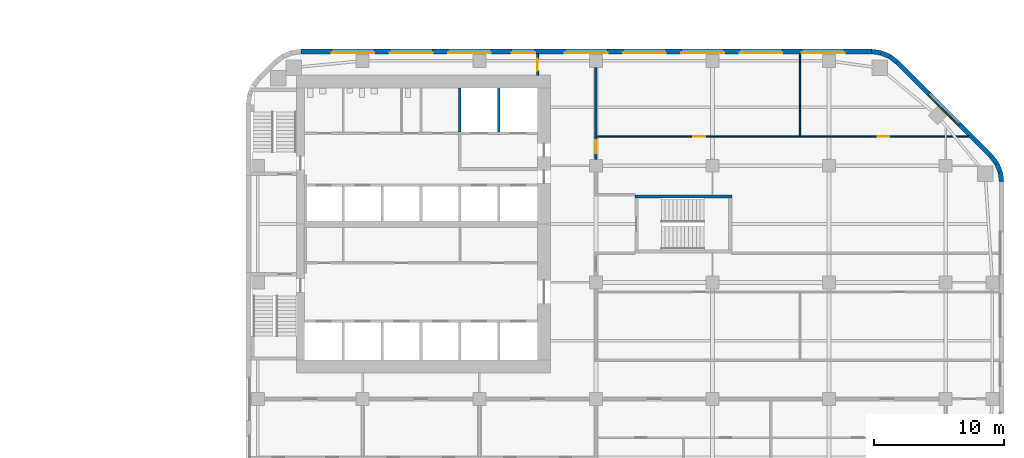
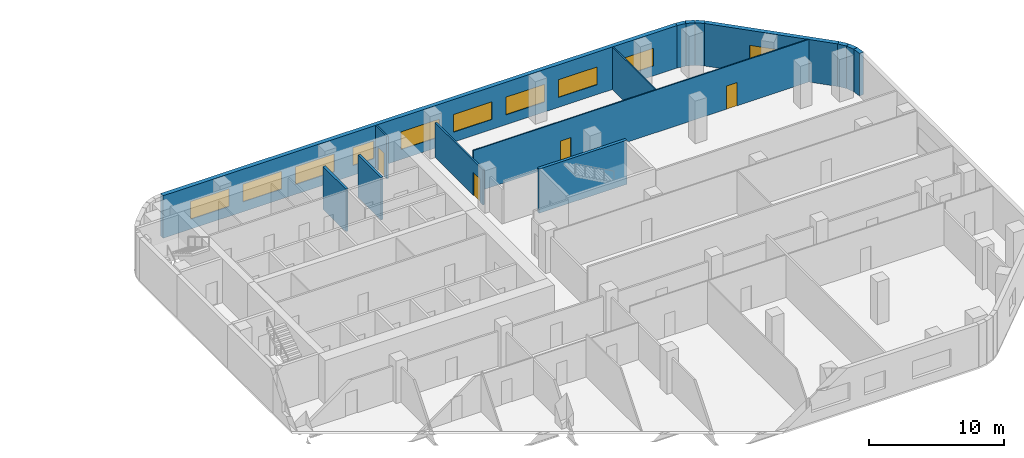
# One storey, part 12 of 16: 15 walls, 10 windows, 4 doors, 14 openings.
"""IFC4 building model written with IfcOpenShell, lengths in metres."""

from ifc_helpers import new_model, si_unit, direction, frame, frame_2d, origin, place, context, subcontext, project, spatial, rectangle, extrude, material, layer, layer_set, type_object, element, fill, save


model = new_model("IFC4")

# Units and contexts
model_context = context("Model", 3, precision=1e-05, world=origin(), true_north=direction((0.0, 1.0)))
body_context = subcontext(model_context, "Body", "Model", "MODEL_VIEW")
ifc_project = project(units=[si_unit("LENGTHUNIT", "METRE"), si_unit("AREAUNIT", "SQUARE_METRE"), si_unit("VOLUMEUNIT", "CUBIC_METRE"), si_unit("PLANEANGLEUNIT", "RADIAN"), si_unit("MASSUNIT", "GRAM", prefix="KILO")], contexts=[model_context])

# Site, building, storey
site_placement = place(None, origin())
site = spatial("IfcSite", under=ifc_project, at=site_placement, CompositionType="ELEMENT")
building_placement = place(site_placement, origin())
building = spatial("IfcBuilding", under=site, at=building_placement, Name="Cinnabar Reach Civic Tower", CompositionType="ELEMENT")
storey_placement = place(building_placement, frame((0.0, 0.0, 83.0)))
storey = spatial("IfcBuildingStorey", under=building, at=storey_placement, Name="L19", CompositionType="ELEMENT", Elevation=83.0)

# Walls
ifc_material_1 = material(Name="Facing brick with insulated backing", Category="masonry")
ifc_layer_1 = layer(ifc_material_1, 0.36)
ifc_layer_set_1 = layer_set([ifc_layer_1], Name="Brick corner wall")
wall_type_1 = type_object("IfcWallType", Name="Brick corner wall", PredefinedType="STANDARD", material=ifc_layer_set_1)
for number, where, z_axis, x_axis, name in (
    (1, (58.317, 34.7686, 0.0), (0.0, 0.0, 1.0), (-0.13055608231, 0.99144092581, 0.0), "Brick corner wall"),
    (2, (58.2181, 35.4973, 0.0), (0.0, 0.0, 1.0), (-0.382702709855, 0.923871547278, 0.0), "Brick corner wall"),
):
    element("IfcWall", number, at=place(storey_placement, frame(where, z_axis=z_axis, x_axis=x_axis)), inside=storey, type_object=wall_type_1, Name=name, PredefinedType="STANDARD", context=body_context, shape_type="SweptSolid", body=[
        extrude(rectangle(XDim=0.7131, YDim=0.36, at=frame_2d((0.3565, 0.0))), origin(), (0.0, 0.0, 1.0), 3.85),
    ])
for number, where, z_axis, x_axis, name in (
    (3, (57.934, 36.1755, 0.0), (0.0, 0.0, 1.0), (-0.608802368033, 0.793321924995, 0.0), "Brick corner wall"),
    (4, (50.2413, 43.9998, 0.0), (0.0, 0.0, 1.0), (-0.793321924995, 0.608802368033, 0.0), "Brick corner wall"),
):
    element("IfcWall", number, at=place(storey_placement, frame(where, z_axis=z_axis, x_axis=x_axis)), inside=storey, type_object=wall_type_1, Name=name, PredefinedType="STANDARD", context=body_context, shape_type="SweptSolid", body=[
        extrude(rectangle(XDim=0.7132, YDim=0.36, at=frame_2d((0.3566, 0.0))), origin(), (0.0, 0.0, 1.0), 3.85),
    ])
for number, where, z_axis, x_axis, name in (
    (5, (49.6561, 44.4452, 0.0), (0.0, 0.0, 1.0), (-0.923871547278, 0.382702709855, 0.0), "Brick corner wall"),
    (6, (48.9756, 44.7239, 0.0), (0.0, 0.0, 1.0), (-0.99144092581, 0.13055608231, 0.0), "Brick corner wall"),
):
    element("IfcWall", number, at=place(storey_placement, frame(where, z_axis=z_axis, x_axis=x_axis)), inside=storey, type_object=wall_type_1, Name=name, PredefinedType="STANDARD", context=body_context, shape_type="SweptSolid", body=[
        extrude(rectangle(XDim=0.7131, YDim=0.36, at=frame_2d((0.3565, 0.0))), origin(), (0.0, 0.0, 1.0), 3.85),
    ])

# Wall, opening, window
ifc_layer_2 = layer(ifc_material_1, 0.36)
ifc_layer_set_2 = layer_set([ifc_layer_2], Name="Brick pier and spandrel wall")
wall_type_2 = type_object("IfcWallType", Name="Brick pier and spandrel wall", PredefinedType="STANDARD", material=ifc_layer_set_2)
wall_1_placement = place(storey_placement, frame((57.494, 36.7514, 0.0), z_axis=(0.0, 0.0, 1.0), x_axis=(-0.707106781187, 0.707106781187, 0.0)))
wall_1 = element("IfcWall", 7, at=wall_1_placement, inside=storey, type_object=wall_type_2, Name="Brick facade wall", PredefinedType="STANDARD", context=body_context, shape_type="SweptSolid", body=[
    extrude(rectangle(XDim=10.2426, YDim=0.36, at=frame_2d((5.1213, 0.0))), origin(), (0.0, 0.0, 1.0), 3.85),
])
opening_1_placement = place(wall_1_placement, frame((3.4713, 0.0, 0.9)))
opening_1 = element("IfcOpeningElement", 8, at=opening_1_placement, cuts=wall_1, Name="Opening W1389", PredefinedType="OPENING", context=body_context, shape_type="SweptSolid", body=[
    extrude(rectangle(XDim=3.3, YDim=1.6, at=frame_2d((1.65, 0.8))), frame((0.0, 0.19, 0.0), z_axis=(0.0, -1.0, 0.0), x_axis=(1.0, 0.0, 0.0)), (0.0, 0.0, 1.0), 0.38),
])
ifc_material_2 = material(Name="Clear double glazing in aluminium frame", Category="aluminium")
window_type_1 = type_object("IfcWindowType", Name="Deep-set window A", PartitioningType="SINGLE_PANEL", PredefinedType="WINDOW", material=ifc_material_2)
window_1_placement = place(opening_1_placement, origin())
window_1 = element("IfcWindow", 9, at=window_1_placement, inside=storey, type_object=window_type_1, Name="Window northeast face", OverallHeight=1.6, OverallWidth=3.3, PartitioningType="SINGLE_PANEL", PredefinedType="WINDOW", context=body_context, shape_type="SweptSolid", body=[
    extrude(rectangle(XDim=3.3, YDim=1.6, at=frame_2d((1.65, 0.8))), frame((0.0, 0.13, 0.0), z_axis=(0.0, -1.0, 0.0), x_axis=(1.0, 0.0, 0.0)), (0.0, 0.0, 1.0), 0.06),
])
fill(opening_1, window_1)

# Wall, openings, windows
wall_2_placement = place(storey_placement, frame((48.2574, 44.82, 0.0), z_axis=(0.0, 0.0, 1.0), x_axis=(-1.0, 0.0, 0.0)))
wall_2 = element("IfcWall", 10, at=wall_2_placement, inside=storey, type_object=wall_type_2, Name="Brick facade wall", PredefinedType="STANDARD", context=body_context, shape_type="SweptSolid", body=[
    extrude(rectangle(XDim=44.0148, YDim=0.36, at=frame_2d((22.0074, 0.0))), origin(), (0.0, 0.0, 1.0), 3.85),
])
opening_2_placement = place(wall_2_placement, frame((2.0574, 0.0, 0.9)))
opening_2 = element("IfcOpeningElement", 11, at=opening_2_placement, cuts=wall_2, Name="Opening W1390", PredefinedType="OPENING", context=body_context, shape_type="SweptSolid", body=[
    extrude(rectangle(XDim=3.3, YDim=1.6, at=frame_2d((1.65, 0.8))), frame((0.0, 0.19, 0.0), z_axis=(0.0, -1.0, 0.0), x_axis=(1.0, 0.0, 0.0)), (0.0, 0.0, 1.0), 0.38),
])
opening_3_placement = place(wall_2_placement, frame((6.8574, 0.0, 0.9)))
opening_3 = element("IfcOpeningElement", 12, at=opening_3_placement, cuts=wall_2, Name="Opening W1391", PredefinedType="OPENING", context=body_context, shape_type="SweptSolid", body=[
    extrude(rectangle(XDim=3.3, YDim=1.6, at=frame_2d((1.65, 0.8))), frame((0.0, 0.19, 0.0), z_axis=(0.0, -1.0, 0.0), x_axis=(1.0, 0.0, 0.0)), (0.0, 0.0, 1.0), 0.38),
])
opening_4_placement = place(wall_2_placement, frame((11.3574, 0.0, 0.9)))
opening_4 = element("IfcOpeningElement", 13, at=opening_4_placement, cuts=wall_2, Name="Opening W1392", PredefinedType="OPENING", context=body_context, shape_type="SweptSolid", body=[
    extrude(rectangle(XDim=3.3, YDim=1.6, at=frame_2d((1.65, 0.8))), frame((0.0, 0.19, 0.0), z_axis=(0.0, -1.0, 0.0), x_axis=(1.0, 0.0, 0.0)), (0.0, 0.0, 1.0), 0.38),
])
opening_5_placement = place(wall_2_placement, frame((15.8574, 0.0, 0.9)))
opening_5 = element("IfcOpeningElement", 14, at=opening_5_placement, cuts=wall_2, Name="Opening W1393", PredefinedType="OPENING", context=body_context, shape_type="SweptSolid", body=[
    extrude(rectangle(XDim=3.3, YDim=1.6, at=frame_2d((1.65, 0.8))), frame((0.0, 0.19, 0.0), z_axis=(0.0, -1.0, 0.0), x_axis=(1.0, 0.0, 0.0)), (0.0, 0.0, 1.0), 0.38),
])
opening_6_placement = place(wall_2_placement, frame((20.3574, 0.0, 0.9)))
opening_6 = element("IfcOpeningElement", 15, at=opening_6_placement, cuts=wall_2, Name="Opening W1394", PredefinedType="OPENING", context=body_context, shape_type="SweptSolid", body=[
    extrude(rectangle(XDim=3.3, YDim=1.6, at=frame_2d((1.65, 0.8))), frame((0.0, 0.19, 0.0), z_axis=(0.0, -1.0, 0.0), x_axis=(1.0, 0.0, 0.0)), (0.0, 0.0, 1.0), 0.38),
])
opening_7_placement = place(wall_2_placement, frame((25.9574, 0.0, 0.9)))
opening_7 = element("IfcOpeningElement", 16, at=opening_7_placement, cuts=wall_2, Name="Opening W1395", PredefinedType="OPENING", context=body_context, shape_type="SweptSolid", body=[
    extrude(rectangle(XDim=1.8, YDim=1.6, at=frame_2d((0.9, 0.8))), frame((0.0, 0.19, 0.0), z_axis=(0.0, -1.0, 0.0), x_axis=(1.0, 0.0, 0.0)), (0.0, 0.0, 1.0), 0.38),
])
opening_8_placement = place(wall_2_placement, frame((29.3574, 0.0, 0.9)))
opening_8 = element("IfcOpeningElement", 17, at=opening_8_placement, cuts=wall_2, Name="Opening W1396", PredefinedType="OPENING", context=body_context, shape_type="SweptSolid", body=[
    extrude(rectangle(XDim=3.3, YDim=1.6, at=frame_2d((1.65, 0.8))), frame((0.0, 0.19, 0.0), z_axis=(0.0, -1.0, 0.0), x_axis=(1.0, 0.0, 0.0)), (0.0, 0.0, 1.0), 0.38),
])
opening_9_placement = place(wall_2_placement, frame((33.8574, 0.0, 0.9)))
opening_9 = element("IfcOpeningElement", 18, at=opening_9_placement, cuts=wall_2, Name="Opening W1397", PredefinedType="OPENING", context=body_context, shape_type="SweptSolid", body=[
    extrude(rectangle(XDim=3.3, YDim=1.6, at=frame_2d((1.65, 0.8))), frame((0.0, 0.19, 0.0), z_axis=(0.0, -1.0, 0.0), x_axis=(1.0, 0.0, 0.0)), (0.0, 0.0, 1.0), 0.38),
])
opening_10_placement = place(wall_2_placement, frame((38.3574, 0.0, 0.9)))
opening_10 = element("IfcOpeningElement", 19, at=opening_10_placement, cuts=wall_2, Name="Opening W1398", PredefinedType="OPENING", context=body_context, shape_type="SweptSolid", body=[
    extrude(rectangle(XDim=3.3, YDim=1.6, at=frame_2d((1.65, 0.8))), frame((0.0, 0.19, 0.0), z_axis=(0.0, -1.0, 0.0), x_axis=(1.0, 0.0, 0.0)), (0.0, 0.0, 1.0), 0.38),
])
window_2_placement = place(opening_2_placement, origin())
window_2 = element("IfcWindow", 20, at=window_2_placement, inside=storey, type_object=window_type_1, Name="Window north face", OverallHeight=1.6, OverallWidth=3.3, PartitioningType="SINGLE_PANEL", PredefinedType="WINDOW", context=body_context, shape_type="SweptSolid", body=[
    extrude(rectangle(XDim=3.3, YDim=1.6, at=frame_2d((1.65, 0.8))), frame((0.0, 0.13, 0.0), z_axis=(0.0, -1.0, 0.0), x_axis=(1.0, 0.0, 0.0)), (0.0, 0.0, 1.0), 0.06),
])
fill(opening_2, window_2)
window_3_placement = place(opening_3_placement, origin())
window_3 = element("IfcWindow", 21, at=window_3_placement, inside=storey, type_object=window_type_1, Name="Window north face", OverallHeight=1.6, OverallWidth=3.3, PartitioningType="SINGLE_PANEL", PredefinedType="WINDOW", context=body_context, shape_type="SweptSolid", body=[
    extrude(rectangle(XDim=3.3, YDim=1.6, at=frame_2d((1.65, 0.8))), frame((0.0, 0.13, 0.0), z_axis=(0.0, -1.0, 0.0), x_axis=(1.0, 0.0, 0.0)), (0.0, 0.0, 1.0), 0.06),
])
fill(opening_3, window_3)
window_4_placement = place(opening_4_placement, origin())
window_4 = element("IfcWindow", 22, at=window_4_placement, inside=storey, type_object=window_type_1, Name="Window north face", OverallHeight=1.6, OverallWidth=3.3, PartitioningType="SINGLE_PANEL", PredefinedType="WINDOW", context=body_context, shape_type="SweptSolid", body=[
    extrude(rectangle(XDim=3.3, YDim=1.6, at=frame_2d((1.65, 0.8))), frame((0.0, 0.13, 0.0), z_axis=(0.0, -1.0, 0.0), x_axis=(1.0, 0.0, 0.0)), (0.0, 0.0, 1.0), 0.06),
])
fill(opening_4, window_4)
window_5_placement = place(opening_5_placement, origin())
window_5 = element("IfcWindow", 23, at=window_5_placement, inside=storey, type_object=window_type_1, Name="Window north face", OverallHeight=1.6, OverallWidth=3.3, PartitioningType="SINGLE_PANEL", PredefinedType="WINDOW", context=body_context, shape_type="SweptSolid", body=[
    extrude(rectangle(XDim=3.3, YDim=1.6, at=frame_2d((1.65, 0.8))), frame((0.0, 0.13, 0.0), z_axis=(0.0, -1.0, 0.0), x_axis=(1.0, 0.0, 0.0)), (0.0, 0.0, 1.0), 0.06),
])
fill(opening_5, window_5)
window_6_placement = place(opening_6_placement, origin())
window_6 = element("IfcWindow", 24, at=window_6_placement, inside=storey, type_object=window_type_1, Name="Window north face", OverallHeight=1.6, OverallWidth=3.3, PartitioningType="SINGLE_PANEL", PredefinedType="WINDOW", context=body_context, shape_type="SweptSolid", body=[
    extrude(rectangle(XDim=3.3, YDim=1.6, at=frame_2d((1.65, 0.8))), frame((0.0, 0.13, 0.0), z_axis=(0.0, -1.0, 0.0), x_axis=(1.0, 0.0, 0.0)), (0.0, 0.0, 1.0), 0.06),
])
fill(opening_6, window_6)
window_7_placement = place(opening_8_placement, origin())
window_7 = element("IfcWindow", 25, at=window_7_placement, inside=storey, type_object=window_type_1, Name="Window north face", OverallHeight=1.6, OverallWidth=3.3, PartitioningType="SINGLE_PANEL", PredefinedType="WINDOW", context=body_context, shape_type="SweptSolid", body=[
    extrude(rectangle(XDim=3.3, YDim=1.6, at=frame_2d((1.65, 0.8))), frame((0.0, 0.13, 0.0), z_axis=(0.0, -1.0, 0.0), x_axis=(1.0, 0.0, 0.0)), (0.0, 0.0, 1.0), 0.06),
])
fill(opening_8, window_7)
window_8_placement = place(opening_9_placement, origin())
window_8 = element("IfcWindow", 26, at=window_8_placement, inside=storey, type_object=window_type_1, Name="Window north face", OverallHeight=1.6, OverallWidth=3.3, PartitioningType="SINGLE_PANEL", PredefinedType="WINDOW", context=body_context, shape_type="SweptSolid", body=[
    extrude(rectangle(XDim=3.3, YDim=1.6, at=frame_2d((1.65, 0.8))), frame((0.0, 0.13, 0.0), z_axis=(0.0, -1.0, 0.0), x_axis=(1.0, 0.0, 0.0)), (0.0, 0.0, 1.0), 0.06),
])
fill(opening_9, window_8)
window_9_placement = place(opening_10_placement, origin())
window_9 = element("IfcWindow", 27, at=window_9_placement, inside=storey, type_object=window_type_1, Name="Window north face", OverallHeight=1.6, OverallWidth=3.3, PartitioningType="SINGLE_PANEL", PredefinedType="WINDOW", context=body_context, shape_type="SweptSolid", body=[
    extrude(rectangle(XDim=3.3, YDim=1.6, at=frame_2d((1.65, 0.8))), frame((0.0, 0.13, 0.0), z_axis=(0.0, -1.0, 0.0), x_axis=(1.0, 0.0, 0.0)), (0.0, 0.0, 1.0), 0.06),
])
fill(opening_10, window_9)
window_type_2 = type_object("IfcWindowType", Name="Deep-set window D", PartitioningType="SINGLE_PANEL", PredefinedType="WINDOW", material=ifc_material_2)
window_10_placement = place(opening_7_placement, origin())
window_10 = element("IfcWindow", 28, at=window_10_placement, inside=storey, type_object=window_type_2, Name="Window north face", OverallHeight=1.6, OverallWidth=1.8, PartitioningType="SINGLE_PANEL", PredefinedType="WINDOW", context=body_context, shape_type="SweptSolid", body=[
    extrude(rectangle(XDim=1.8, YDim=1.6, at=frame_2d((0.9, 0.8))), frame((0.0, 0.13, 0.0), z_axis=(0.0, -1.0, 0.0), x_axis=(1.0, 0.0, 0.0)), (0.0, 0.0, 1.0), 0.06),
])
fill(opening_7, window_10)

# Wall, opening, door
ifc_material_3 = material(Name="Gypsum board on steel studs, double layer", Category="steel")
ifc_layer_3 = layer(ifc_material_3, 0.15)
ifc_layer_set_3 = layer_set([ifc_layer_3], Name="Corridor wall 150 T1")
wall_type_3 = type_object("IfcWallType", Name="Corridor wall 150 T1", PredefinedType="PARTITIONING", material=ifc_layer_set_3)
wall_3_placement = place(storey_placement, frame((27.0, 36.5, 0.0), z_axis=(0.0, 0.0, 1.0), x_axis=(0.0, 1.0, 0.0)))
wall_3 = element("IfcWall", 29, at=wall_3_placement, inside=storey, type_object=wall_type_3, Name="Corridor wall 30", PredefinedType="PARTITIONING", context=body_context, shape_type="SweptSolid", body=[
    extrude(rectangle(XDim=7.1, YDim=0.15, at=frame_2d((3.55, 0.0))), origin(), (0.0, 0.0, 1.0), 3.158),
])
opening_11_placement = place(wall_3_placement, frame((0.45, 0.0, 0.0)))
opening_11 = element("IfcOpeningElement", 30, at=opening_11_placement, cuts=wall_3, Name="Opening D3779", PredefinedType="OPENING", context=body_context, shape_type="SweptSolid", body=[
    extrude(rectangle(XDim=1.0, YDim=2.1, at=frame_2d((0.5, 1.05))), frame((0.0, 0.085, 0.0), z_axis=(0.0, -1.0, 0.0), x_axis=(1.0, 0.0, 0.0)), (0.0, 0.0, 1.0), 0.17),
])
ifc_material_4 = material(Name="Timber door leaf in steel frame", Category="steel")
door_type_1 = type_object("IfcDoorType", Name="Tenancy entrance door 1000 x 2100 T1", OperationType="SINGLE_SWING_LEFT", PredefinedType="DOOR", material=ifc_material_4)
door_1_placement = place(opening_11_placement, frame((1.0, 0.0, 0.0), z_axis=(0.0, 0.0, 1.0), x_axis=(-1.0, 0.0, 0.0)))
door_1 = element("IfcDoor", 31, at=door_1_placement, inside=storey, type_object=door_type_1, Name="Door D3779", OperationType="SINGLE_SWING_LEFT", OverallHeight=2.1, OverallWidth=1.0, PredefinedType="DOOR", context=body_context, shape_type="SweptSolid", body=[
    extrude(rectangle(XDim=1.0, YDim=2.1, at=frame_2d((0.5, 1.05))), frame((0.0, 0.025, 0.0), z_axis=(0.0, -1.0, 0.0), x_axis=(1.0, 0.0, 0.0)), (0.0, 0.0, 1.0), 0.05),
])
fill(opening_11, door_1)

wall_4_placement = place(storey_placement, frame((22.5, 43.0, 0.0), z_axis=(0.0, 0.0, 1.0), x_axis=(0.0, 1.0, 0.0)))
wall_4 = element("IfcWall", 32, at=wall_4_placement, inside=storey, type_object=wall_type_3, Name="Corridor wall 37", PredefinedType="PARTITIONING", context=body_context, shape_type="SweptSolid", body=[
    extrude(rectangle(XDim=1.64, YDim=0.15, at=frame_2d((0.82, 0.0))), origin(), (0.0, 0.0, 1.0), 3.85),
])
opening_12_placement = place(wall_4_placement, frame((0.35, 0.0, 0.0)))
opening_12 = element("IfcOpeningElement", 33, at=opening_12_placement, cuts=wall_4, Name="Opening D5783", PredefinedType="OPENING", context=body_context, shape_type="SweptSolid", body=[
    extrude(rectangle(XDim=0.9, YDim=2.1, at=frame_2d((0.45, 1.05))), frame((0.0, 0.085, 0.0), z_axis=(0.0, -1.0, 0.0), x_axis=(1.0, 0.0, 0.0)), (0.0, 0.0, 1.0), 0.17),
])
door_type_2 = type_object("IfcDoorType", Name="Single swing door 900 x 2100 corridor T1", OperationType="SINGLE_SWING_LEFT", PredefinedType="DOOR", material=ifc_material_4)
door_2_placement = place(opening_12_placement, origin())
door_2 = element("IfcDoor", 34, at=door_2_placement, inside=storey, type_object=door_type_2, Name="Door D5783", OperationType="SINGLE_SWING_LEFT", OverallHeight=2.1, OverallWidth=0.9, PredefinedType="DOOR", context=body_context, shape_type="SweptSolid", body=[
    extrude(rectangle(XDim=0.9, YDim=2.1, at=frame_2d((0.45, 1.05))), frame((0.0, 0.025, 0.0), z_axis=(0.0, -1.0, 0.0), x_axis=(1.0, 0.0, 0.0)), (0.0, 0.0, 1.0), 0.05),
])
fill(opening_12, door_2)

# Walls
ifc_material_5 = material(Name="Blockwork", Category="masonry")
ifc_layer_4 = layer(ifc_material_5, 0.2)
ifc_layer_set_4 = layer_set([ifc_layer_4], Name="Lift shaft wall 200 T1")
wall_type_4 = type_object("IfcWallType", Name="Lift shaft wall 200 T1", PredefinedType="PARTITIONING", material=ifc_layer_set_4)
for number, where, z_axis, x_axis, name in (
    (35, (16.5, 38.6, 0.0), (0.0, 0.0, 1.0), (0.0, 1.0, 0.0), "Lift shaft wall 6"),
    (36, (19.5, 38.6, 0.0), (0.0, 0.0, 1.0), (0.0, 1.0, 0.0), "Lift shaft wall 7"),
):
    element("IfcWall", number, at=place(storey_placement, frame(where, z_axis=z_axis, x_axis=x_axis)), inside=storey, type_object=wall_type_4, Name=name, PredefinedType="PARTITIONING", context=body_context, shape_type="SweptSolid", body=[
        extrude(rectangle(XDim=3.4, YDim=0.2, at=frame_2d((1.7, 0.0))), origin(), (0.0, 0.0, 1.0), 3.85),
    ])

# Wall, openings, doors
ifc_material_6 = material(Name="Gypsum board on steel studs", Category="steel")
ifc_layer_5 = layer(ifc_material_6, 0.1)
ifc_layer_set_5 = layer_set([ifc_layer_5], Name="Partition wall 100 T1")
wall_type_5 = type_object("IfcWallType", Name="Partition wall 100 T1", PredefinedType="PARTITIONING", material=ifc_layer_set_5)
wall_5_placement = place(storey_placement, frame((27.075, 38.25, 0.0), z_axis=(0.0, 0.0, 1.0), x_axis=(1.0, 0.0, 0.0)))
wall_5 = element("IfcWall", 37, at=wall_5_placement, inside=storey, type_object=wall_type_5, Name="Partition wall 54", PredefinedType="PARTITIONING", context=body_context, shape_type="SweptSolid", body=[
    extrude(rectangle(XDim=28.7159, YDim=0.1, at=frame_2d((14.358, 0.0))), origin(), (0.0, 0.0, 1.0), 3.85),
])
opening_13_placement = place(wall_5_placement, frame((7.45, 0.0, 0.0)))
opening_13 = element("IfcOpeningElement", 38, at=opening_13_placement, cuts=wall_5, Name="Opening D3780", PredefinedType="OPENING", context=body_context, shape_type="SweptSolid", body=[
    extrude(rectangle(XDim=0.9, YDim=2.1, at=frame_2d((0.45, 1.05))), frame((0.0, 0.06, 0.0), z_axis=(0.0, -1.0, 0.0), x_axis=(1.0, 0.0, 0.0)), (0.0, 0.0, 1.0), 0.12),
])
opening_14_placement = place(wall_5_placement, frame((21.675, 0.0, 0.0)))
opening_14 = element("IfcOpeningElement", 39, at=opening_14_placement, cuts=wall_5, Name="Opening D3781", PredefinedType="OPENING", context=body_context, shape_type="SweptSolid", body=[
    extrude(rectangle(XDim=0.9, YDim=2.1, at=frame_2d((0.45, 1.05))), frame((0.0, 0.06, 0.0), z_axis=(0.0, -1.0, 0.0), x_axis=(1.0, 0.0, 0.0)), (0.0, 0.0, 1.0), 0.12),
])
door_type_3 = type_object("IfcDoorType", Name="Single swing door 900 x 2100 T1", OperationType="SINGLE_SWING_LEFT", PredefinedType="DOOR", material=ifc_material_4)
door_3_placement = place(opening_13_placement, origin())
door_3 = element("IfcDoor", 40, at=door_3_placement, inside=storey, type_object=door_type_3, Name="Door D3780", OperationType="SINGLE_SWING_RIGHT", OverallHeight=2.1, OverallWidth=0.9, PredefinedType="DOOR", context=body_context, shape_type="SweptSolid", body=[
    extrude(rectangle(XDim=0.9, YDim=2.1, at=frame_2d((0.45, 1.05))), frame((0.0, 0.025, 0.0), z_axis=(0.0, -1.0, 0.0), x_axis=(1.0, 0.0, 0.0)), (0.0, 0.0, 1.0), 0.05),
])
fill(opening_13, door_3)
door_4_placement = place(opening_14_placement, origin())
door_4 = element("IfcDoor", 41, at=door_4_placement, inside=storey, type_object=door_type_3, Name="Door D3781", OperationType="SINGLE_SWING_RIGHT", OverallHeight=2.1, OverallWidth=0.9, PredefinedType="DOOR", context=body_context, shape_type="SweptSolid", body=[
    extrude(rectangle(XDim=0.9, YDim=2.1, at=frame_2d((0.45, 1.05))), frame((0.0, 0.025, 0.0), z_axis=(0.0, -1.0, 0.0), x_axis=(1.0, 0.0, 0.0)), (0.0, 0.0, 1.0), 0.05),
])
fill(opening_14, door_4)

# Walls
wall_6_placement = place(storey_placement, frame((42.75, 38.3, 0.0), z_axis=(0.0, 0.0, 1.0), x_axis=(0.0, 1.0, 0.0)))
element("IfcWall", 42, at=wall_6_placement, inside=storey, type_object=wall_type_5, Name="Partition wall 62", PredefinedType="PARTITIONING", context=body_context, shape_type="SweptSolid", body=[
    extrude(rectangle(XDim=6.34, YDim=0.1, at=frame_2d((3.17, 0.0))), origin(), (0.0, 0.0, 1.0), 3.85),
])
ifc_material_7 = material(Name="Concrete C60", Category="concrete")
ifc_layer_6 = layer(ifc_material_7, 0.25)
ifc_layer_set_6 = layer_set([ifc_layer_6], Name="Stair shaft wall 250 EI 120")
wall_type_6 = type_object("IfcWallType", Name="Stair shaft wall 250 EI 120", PredefinedType="SOLIDWALL", material=ifc_layer_set_6)
wall_7_placement = place(storey_placement, frame((37.5, 33.625, 0.0), z_axis=(0.0, 0.0, 1.0), x_axis=(-1.0, 0.0, 0.0)))
element("IfcWall", 43, at=wall_7_placement, inside=storey, type_object=wall_type_6, Name="Stair shaft wall T1-S3 L19", PredefinedType="SOLIDWALL", context=body_context, shape_type="SweptSolid", body=[
    extrude(rectangle(XDim=7.5, YDim=0.25, at=frame_2d((3.75, 0.0))), origin(), (0.0, 0.0, 1.0), 4.0),
])

save(model, "model.ifc")
